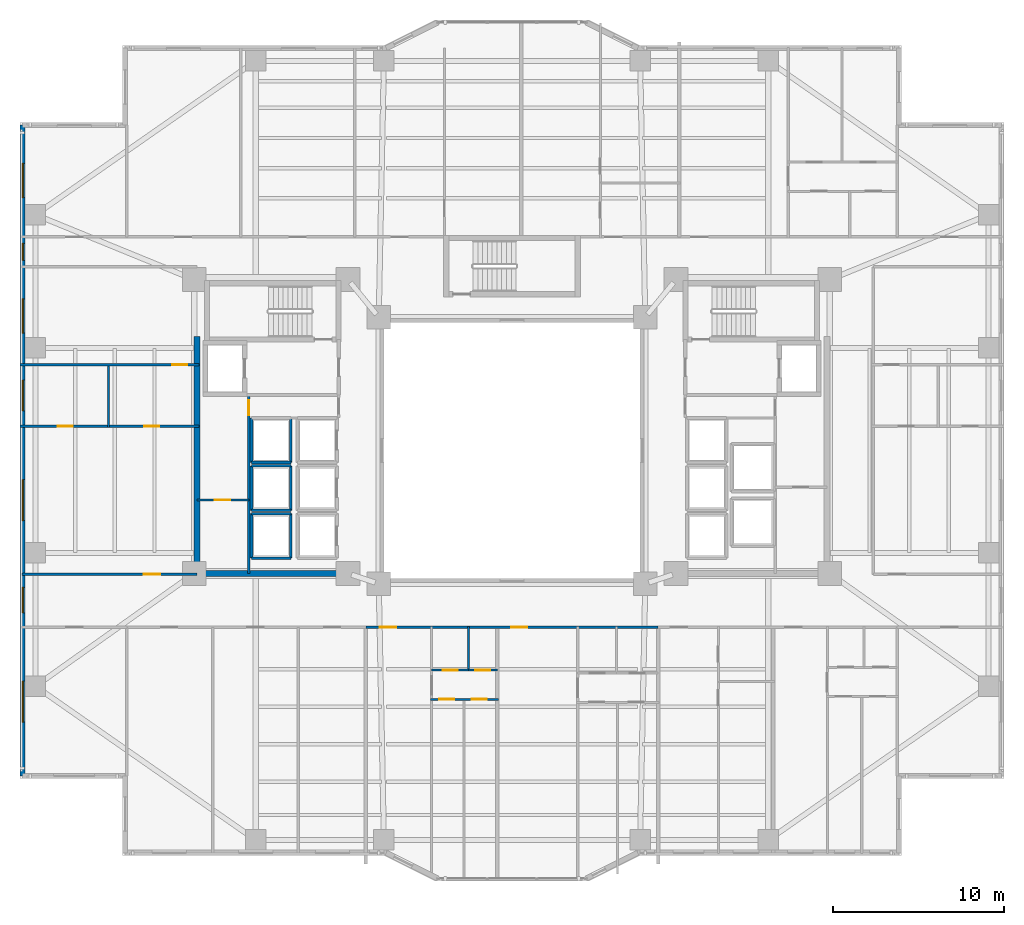
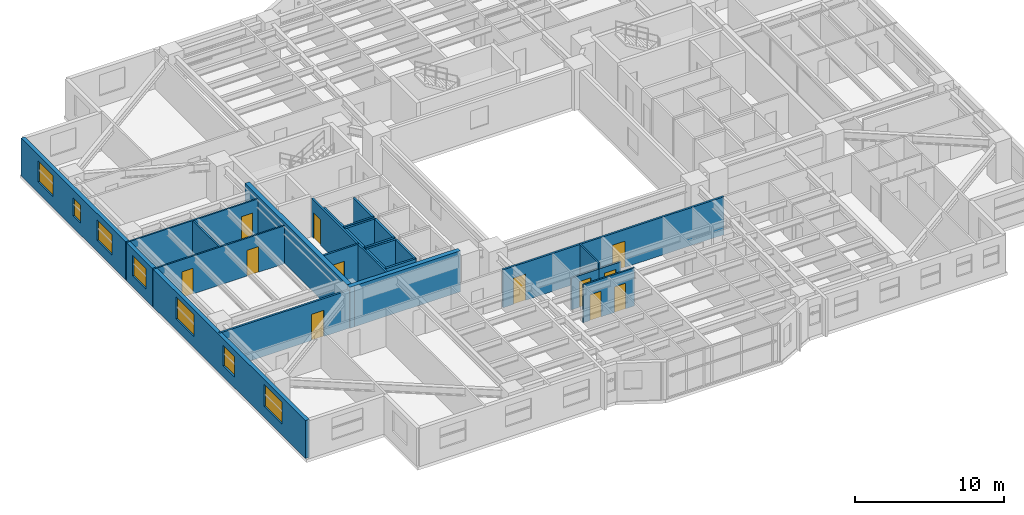
# One storey, part 10 of 21: 25 walls, 12 doors, 7 windows, 19 openings.
"""IFC4 building model written with IfcOpenShell, lengths in metres."""

from ifc_helpers import new_model, si_unit, direction, frame, frame_2d, origin, place, context, subcontext, project, spatial, rectangle, extrude, material, layer, layer_set, type_object, element, fill, save


model = new_model("IFC4")

# Units and contexts
model_context = context("Model", 3, precision=1e-05, world=origin(), true_north=direction((0.0, 1.0)))
body_context = subcontext(model_context, "Body", "Model", "MODEL_VIEW")
ifc_project = project(units=[si_unit("LENGTHUNIT", "METRE"), si_unit("AREAUNIT", "SQUARE_METRE"), si_unit("VOLUMEUNIT", "CUBIC_METRE"), si_unit("PLANEANGLEUNIT", "RADIAN"), si_unit("MASSUNIT", "GRAM", prefix="KILO")], contexts=[model_context])

# Site, building, storey
site_placement = place(None, origin())
site = spatial("IfcSite", under=ifc_project, at=site_placement, CompositionType="ELEMENT")
building_placement = place(site_placement, origin())
building = spatial("IfcBuilding", under=site, at=building_placement, Name="Tarnavaz Court Tower", CompositionType="ELEMENT")
storey_placement = place(building_placement, frame((0.0, 0.0, 44.10009765625)))
storey = spatial("IfcBuildingStorey", under=building, at=storey_placement, Name="L11", CompositionType="ELEMENT", Elevation=44.10009765625)

# Walls
ifc_material_1 = material(Name="Concrete C60/75", Category="concrete")
ifc_layer_1 = layer(ifc_material_1, 0.35009765625)
ifc_layer_set_1 = layer_set([ifc_layer_1], Name="Concrete C60/75")
wall_type_1 = type_object("IfcWallType", Name="WL-CORE-350-C60", PredefinedType="SHEAR", material=ifc_layer_set_1)
wall_1_placement = place(storey_placement, frame((-18.449951171875, -7.375, 0.0), z_axis=(0.0, 0.0, 1.0), x_axis=(0.0, 1.0, 0.0)))
element("IfcWall", 1, at=wall_1_placement, inside=storey, type_object=wall_type_1, Name="L11 West Core Shear Wall 069", PredefinedType="SHEAR", context=body_context, shape_type="SweptSolid", body=[
    extrude(rectangle(XDim=14.050048828125, YDim=0.35009765625, at=frame_2d((7.02490234375, 0.0))), origin(), (0.0, 0.0, 1.0), 3.349853515625),
])
wall_2_placement = place(storey_placement, frame((-18.625, -7.199951171875, 0.0), z_axis=(0.0, 0.0, 1.0), x_axis=(1.0, 0.0, 0.0)))
element("IfcWall", 2, at=wall_2_placement, inside=storey, type_object=wall_type_1, Name="L11 West Core South Shear Wall 070", PredefinedType="SHEAR", context=body_context, shape_type="SweptSolid", body=[
    extrude(rectangle(XDim=8.550048828125, YDim=0.35009765625, at=frame_2d((4.27490234375, 0.0))), origin(), (0.0, 0.0, 1.0), 3.349853515625),
])

# Wall, openings, windows
ifc_material_2 = material(Name="Precast Concrete C40/50", Category="concrete")
ifc_layer_2 = layer(ifc_material_2, 0.300048828125)
ifc_layer_set_2 = layer_set([ifc_layer_2], Name="Precast Concrete C40/50")
wall_type_2 = type_object("IfcWallType", Name="WL-EXT-300", PredefinedType="SOLIDWALL", material=ifc_layer_set_2)
wall_3_placement = place(storey_placement, frame((-28.64990234375, -19.050048828125, 0.0), z_axis=(0.0, 0.0, 1.0), x_axis=(0.0, 1.0, 0.0)))
wall_3 = element("IfcWall", 3, at=wall_3_placement, inside=storey, type_object=wall_type_2, Name="L11 Exterior Terracotta Facade Wall 02", PredefinedType="SOLIDWALL", context=body_context, shape_type="SweptSolid", body=[
    extrude(rectangle(XDim=38.10009765625, YDim=0.300048828125, at=frame_2d((19.050048828125, 0.0))), origin(), (0.0, 0.0, 1.0), 3.099853515625),
])
opening_1_placement = place(wall_3_placement, frame((3.14990234375, 0.0, 0.89990234375)))
opening_1 = element("IfcOpeningElement", 4, at=opening_1_placement, cuts=wall_3, Name="Opening W06", PredefinedType="OPENING", context=body_context, shape_type="SweptSolid", body=[
    extrude(rectangle(XDim=2.39990234375, YDim=1.800048828125, at=frame_2d((1.199951171875, 0.89990234375))), frame((0.0, 0.159912109375, 0.0), z_axis=(0.0, -1.0, 0.0), x_axis=(1.0, 0.0, 0.0)), (0.0, 0.0, 1.0), 0.320068359375),
])
opening_2_placement = place(wall_3_placement, frame((9.54248046875, 0.0, 0.89990234375)))
opening_2 = element("IfcOpeningElement", 5, at=opening_2_placement, cuts=wall_3, Name="Opening W03", PredefinedType="OPENING", context=body_context, shape_type="SweptSolid", body=[
    extrude(rectangle(XDim=1.5, YDim=1.64990234375, at=frame_2d((0.75, 0.824951171875))), frame((0.0, 0.159912109375, 0.0), z_axis=(0.0, -1.0, 0.0), x_axis=(1.0, 0.0, 0.0)), (0.0, 0.0, 1.0), 0.320068359375),
])
opening_3_placement = place(wall_3_placement, frame((14.949951171875, 0.0, 0.89990234375)))
opening_3 = element("IfcOpeningElement", 6, at=opening_3_placement, cuts=wall_3, Name="Opening W06", PredefinedType="OPENING", context=body_context, shape_type="SweptSolid", body=[
    extrude(rectangle(XDim=2.39990234375, YDim=1.800048828125, at=frame_2d((1.199951171875, 0.89990234375))), frame((0.0, 0.159912109375, 0.0), z_axis=(0.0, -1.0, 0.0), x_axis=(1.0, 0.0, 0.0)), (0.0, 0.0, 1.0), 0.320068359375),
])
opening_4_placement = place(wall_3_placement, frame((21.375, 0.0, 0.89990234375)))
opening_4 = element("IfcOpeningElement", 7, at=opening_4_placement, cuts=wall_3, Name="Opening W01", PredefinedType="OPENING", context=body_context, shape_type="SweptSolid", body=[
    extrude(rectangle(XDim=1.800048828125, YDim=1.64990234375, at=frame_2d((0.89990234375, 0.824951171875))), frame((0.0, 0.159912109375, 0.0), z_axis=(0.0, -1.0, 0.0), x_axis=(1.0, 0.0, 0.0)), (0.0, 0.0, 1.0), 0.320068359375),
])
opening_5_placement = place(wall_3_placement, frame((25.925048828125, 0.0, 0.89990234375)))
opening_5 = element("IfcOpeningElement", 8, at=opening_5_placement, cuts=wall_3, Name="Opening W08", PredefinedType="OPENING", context=body_context, shape_type="SweptSolid", body=[
    extrude(rectangle(XDim=2.0, YDim=1.699951171875, at=frame_2d((1.0, 0.85009765625))), frame((0.0, 0.159912109375, 0.0), z_axis=(0.0, -1.0, 0.0), x_axis=(1.0, 0.0, 0.0)), (0.0, 0.0, 1.0), 0.320068359375),
])
opening_6_placement = place(wall_3_placement, frame((30.175048828125, 0.0, 0.949951171875)))
opening_6 = element("IfcOpeningElement", 9, at=opening_6_placement, cuts=wall_3, Name="Opening W14", PredefinedType="OPENING", context=body_context, shape_type="SweptSolid", body=[
    extrude(rectangle(XDim=1.0, YDim=1.5, at=frame_2d((0.5, 0.75))), frame((0.0, 0.159912109375, 0.0), z_axis=(0.0, -1.0, 0.0), x_axis=(1.0, 0.0, 0.0)), (0.0, 0.0, 1.0), 0.320068359375),
])
opening_7_placement = place(wall_3_placement, frame((33.85009765625, 0.0, 0.89990234375)))
opening_7 = element("IfcOpeningElement", 10, at=opening_7_placement, cuts=wall_3, Name="Opening W08", PredefinedType="OPENING", context=body_context, shape_type="SweptSolid", body=[
    extrude(rectangle(XDim=2.0, YDim=1.699951171875, at=frame_2d((1.0, 0.85009765625))), frame((0.0, 0.159912109375, 0.0), z_axis=(0.0, -1.0, 0.0), x_axis=(1.0, 0.0, 0.0)), (0.0, 0.0, 1.0), 0.320068359375),
])
ifc_material_3 = material(Name="Double-Glazed Solar Low-E Glass", Category="glass")
window_type_1 = type_object("IfcWindowType", Name="WN-APT-1000", PartitioningType="SINGLE_PANEL", PredefinedType="WINDOW", material=ifc_material_3)
window_1_placement = place(opening_6_placement, origin())
window_1 = element("IfcWindow", 11, at=window_1_placement, inside=storey, type_object=window_type_1, Name="L11 North-West Corner Corridor Window", OverallHeight=1.5, OverallWidth=1.0, PartitioningType="SINGLE_PANEL", PredefinedType="WINDOW", context=body_context, shape_type="SweptSolid", body=[
    extrude(rectangle(XDim=1.0, YDim=1.5, at=frame_2d((0.5, 0.75))), frame((0.0, 0.030029296875, 0.0), z_axis=(0.0, -1.0, 0.0), x_axis=(1.0, 0.0, 0.0)), (0.0, 0.0, 1.0), 0.06005859375),
])
fill(opening_6, window_1)
window_type_2 = type_object("IfcWindowType", Name="WN-APT-1500", PartitioningType="DOUBLE_PANEL_VERTICAL", PredefinedType="WINDOW", material=ifc_material_3)
window_2_placement = place(opening_2_placement, origin())
window_2 = element("IfcWindow", 12, at=window_2_placement, inside=storey, type_object=window_type_2, Name="L11 South-West Corner Corridor Window", OverallHeight=1.64990234375, OverallWidth=1.5, PartitioningType="SINGLE_PANEL", PredefinedType="WINDOW", context=body_context, shape_type="SweptSolid", body=[
    extrude(rectangle(XDim=1.5, YDim=1.64990234375, at=frame_2d((0.75, 0.824951171875))), frame((0.0, 0.030029296875, 0.0), z_axis=(0.0, -1.0, 0.0), x_axis=(1.0, 0.0, 0.0)), (0.0, 0.0, 1.0), 0.06005859375),
])
fill(opening_2, window_2)
window_type_3 = type_object("IfcWindowType", Name="WN-APT-1800", PartitioningType="DOUBLE_PANEL_VERTICAL", PredefinedType="WINDOW", material=ifc_material_3)
window_3_placement = place(opening_4_placement, origin())
window_3 = element("IfcWindow", 13, at=window_3_placement, inside=storey, type_object=window_type_3, Name="L11 Flat 07 Kitchen Window", OverallHeight=1.64990234375, OverallWidth=1.800048828125, PartitioningType="SINGLE_PANEL", PredefinedType="WINDOW", context=body_context, shape_type="SweptSolid", body=[
    extrude(rectangle(XDim=1.800048828125, YDim=1.64990234375, at=frame_2d((0.89990234375, 0.824951171875))), frame((0.0, 0.030029296875, 0.0), z_axis=(0.0, -1.0, 0.0), x_axis=(1.0, 0.0, 0.0)), (0.0, 0.0, 1.0), 0.06005859375),
])
fill(opening_4, window_3)
window_type_4 = type_object("IfcWindowType", Name="WN-APT-2000", PartitioningType="DOUBLE_PANEL_VERTICAL", PredefinedType="WINDOW", material=ifc_material_3)
window_4_placement = place(opening_5_placement, origin())
window_4 = element("IfcWindow", 14, at=window_4_placement, inside=storey, type_object=window_type_4, Name="L11 Flat 07 Study Room Window", OverallHeight=1.699951171875, OverallWidth=2.0, PartitioningType="SINGLE_PANEL", PredefinedType="WINDOW", context=body_context, shape_type="SweptSolid", body=[
    extrude(rectangle(XDim=2.0, YDim=1.699951171875, at=frame_2d((1.0, 0.85009765625))), frame((0.0, 0.030029296875, 0.0), z_axis=(0.0, -1.0, 0.0), x_axis=(1.0, 0.0, 0.0)), (0.0, 0.0, 1.0), 0.06005859375),
])
fill(opening_5, window_4)
window_5_placement = place(opening_7_placement, origin())
window_5 = element("IfcWindow", 15, at=window_5_placement, inside=storey, type_object=window_type_4, Name="L11 North-West Corner Sunroom Study Window", OverallHeight=1.699951171875, OverallWidth=2.0, PartitioningType="SINGLE_PANEL", PredefinedType="WINDOW", context=body_context, shape_type="SweptSolid", body=[
    extrude(rectangle(XDim=2.0, YDim=1.699951171875, at=frame_2d((1.0, 0.85009765625))), frame((0.0, 0.030029296875, 0.0), z_axis=(0.0, -1.0, 0.0), x_axis=(1.0, 0.0, 0.0)), (0.0, 0.0, 1.0), 0.06005859375),
])
fill(opening_7, window_5)
window_type_5 = type_object("IfcWindowType", Name="WN-APT-2400", PartitioningType="TRIPLE_PANEL_VERTICAL", PredefinedType="WINDOW", material=ifc_material_3)
window_6_placement = place(opening_1_placement, origin())
window_6 = element("IfcWindow", 16, at=window_6_placement, inside=storey, type_object=window_type_5, Name="L11 South-West Corner Reading Room Window", OverallHeight=1.800048828125, OverallWidth=2.39990234375, PartitioningType="SINGLE_PANEL", PredefinedType="WINDOW", context=body_context, shape_type="SweptSolid", body=[
    extrude(rectangle(XDim=2.39990234375, YDim=1.800048828125, at=frame_2d((1.199951171875, 0.89990234375))), frame((0.0, 0.030029296875, 0.0), z_axis=(0.0, -1.0, 0.0), x_axis=(1.0, 0.0, 0.0)), (0.0, 0.0, 1.0), 0.06005859375),
])
fill(opening_1, window_6)
window_7_placement = place(opening_3_placement, origin())
window_7 = element("IfcWindow", 17, at=window_7_placement, inside=storey, type_object=window_type_5, Name="L11 Flat 07 Studio Living and Sleeping Room Window", OverallHeight=1.800048828125, OverallWidth=2.39990234375, PartitioningType="SINGLE_PANEL", PredefinedType="WINDOW", context=body_context, shape_type="SweptSolid", body=[
    extrude(rectangle(XDim=2.39990234375, YDim=1.800048828125, at=frame_2d((1.199951171875, 0.89990234375))), frame((0.0, 0.030029296875, 0.0), z_axis=(0.0, -1.0, 0.0), x_axis=(1.0, 0.0, 0.0)), (0.0, 0.0, 1.0), 0.06005859375),
])
fill(opening_3, window_7)

# Wall, openings, doors
ifc_material_4 = material(Name="Gypsum Fire-Board on Acoustic Metal Stud", Category="masonry")
ifc_layer_3 = layer(ifc_material_4, 0.14990234375)
ifc_layer_set_3 = layer_set([ifc_layer_3], Name="Gypsum Fire-Board on Acoustic Metal Stud")
wall_type_3 = type_object("IfcWallType", Name="WL-FIRE-150", PredefinedType="PARTITIONING", material=ifc_layer_set_3)
wall_4_placement = place(storey_placement, frame((-8.550048828125, -10.35009765625, 0.0), z_axis=(0.0, 0.0, 1.0), x_axis=(1.0, 0.0, 0.0)))
wall_4 = element("IfcWall", 18, at=wall_4_placement, inside=storey, type_object=wall_type_3, Name="L11 South Ring Corridor Wall 085", PredefinedType="PARTITIONING", context=body_context, shape_type="SweptSolid", body=[
    extrude(rectangle(XDim=17.10009765625, YDim=0.14990234375, at=frame_2d((8.550048828125, 0.0))), origin(), (0.0, 0.0, 1.0), 3.099853515625),
])
opening_8_placement = place(wall_4_placement, frame((0.800048828125, 0.0, 0.0)))
opening_8 = element("IfcOpeningElement", 19, at=opening_8_placement, cuts=wall_4, Name="Opening D06", PredefinedType="OPENING", context=body_context, shape_type="SweptSolid", body=[
    extrude(rectangle(XDim=0.9599609375, YDim=2.14990234375, at=frame_2d((0.47998046875, 1.074951171875))), frame((0.0, 0.0849609375, 0.0), z_axis=(0.0, -1.0, 0.0), x_axis=(1.0, 0.0, 0.0)), (0.0, 0.0, 1.0), 0.169921875),
])
opening_9_placement = place(wall_4_placement, frame((8.4951171875, 0.0, 0.0)))
opening_9 = element("IfcOpeningElement", 20, at=opening_9_placement, cuts=wall_4, Name="Opening D06", PredefinedType="OPENING", context=body_context, shape_type="SweptSolid", body=[
    extrude(rectangle(XDim=0.9599609375, YDim=2.14990234375, at=frame_2d((0.47998046875, 1.074951171875))), frame((0.0, 0.0849609375, 0.0), z_axis=(0.0, -1.0, 0.0), x_axis=(1.0, 0.0, 0.0)), (0.0, 0.0, 1.0), 0.169921875),
])
ifc_material_5 = material(Name="Fire-Rated Hardwood Timber Core", Category="wood")
door_type_1 = type_object("IfcDoorType", Name="DR-FD60-950", OperationType="NOTDEFINED", PredefinedType="DOOR", material=ifc_material_5)
door_1_placement = place(opening_8_placement, origin())
door_1 = element("IfcDoor", 21, at=door_1_placement, inside=storey, type_object=door_type_1, Name="L11 Flat 05 Entrance Door", OperationType="SINGLE_SWING_RIGHT", OverallHeight=2.14990234375, OverallWidth=0.9599609375, PredefinedType="DOOR", context=body_context, shape_type="SweptSolid", body=[
    extrude(rectangle(XDim=0.9599609375, YDim=2.14990234375, at=frame_2d((0.47998046875, 1.074951171875))), frame((0.0, 0.02490234375, 0.0), z_axis=(0.0, -1.0, 0.0), x_axis=(1.0, 0.0, 0.0)), (0.0, 0.0, 1.0), 0.050048828125),
])
fill(opening_8, door_1)
door_2_placement = place(opening_9_placement, origin())
door_2 = element("IfcDoor", 22, at=door_2_placement, inside=storey, type_object=door_type_1, Name="L11 Flat 06 Entrance Door", OperationType="SINGLE_SWING_RIGHT", OverallHeight=2.14990234375, OverallWidth=0.9599609375, PredefinedType="DOOR", context=body_context, shape_type="SweptSolid", body=[
    extrude(rectangle(XDim=0.9599609375, YDim=2.14990234375, at=frame_2d((0.47998046875, 1.074951171875))), frame((0.0, 0.02490234375, 0.0), z_axis=(0.0, -1.0, 0.0), x_axis=(1.0, 0.0, 0.0)), (0.0, 0.0, 1.0), 0.050048828125),
])
fill(opening_9, door_2)

# Wall, opening, door
wall_5_placement = place(storey_placement, frame((-28.679931640625, -7.25, 0.0), z_axis=(0.0, 0.0, 1.0), x_axis=(1.0, 0.0, 0.0)))
wall_5 = element("IfcWall", 23, at=wall_5_placement, inside=storey, type_object=wall_type_3, Name="L11 Interior Partition 128", PredefinedType="PARTITIONING", context=body_context, shape_type="SweptSolid", body=[
    extrude(rectangle(XDim=10.22998046875, YDim=0.14990234375, at=frame_2d((5.114990234375, 0.0))), origin(), (0.0, 0.0, 1.0), 3.099853515625),
])
opening_10_placement = place(wall_5_placement, frame((7.1298828125, 0.0, 0.0)))
opening_10 = element("IfcOpeningElement", 24, at=opening_10_placement, cuts=wall_5, Name="Opening D06", PredefinedType="OPENING", context=body_context, shape_type="SweptSolid", body=[
    extrude(rectangle(XDim=0.9599609375, YDim=2.14990234375, at=frame_2d((0.47998046875, 1.074951171875))), frame((0.0, 0.0849609375, 0.0), z_axis=(0.0, -1.0, 0.0), x_axis=(1.0, 0.0, 0.0)), (0.0, 0.0, 1.0), 0.169921875),
])
door_3_placement = place(opening_10_placement, origin())
door_3 = element("IfcDoor", 25, at=door_3_placement, inside=storey, type_object=door_type_1, Name="L11 Flat 07 Entrance Door", OperationType="SINGLE_SWING_RIGHT", OverallHeight=2.14990234375, OverallWidth=0.9599609375, PredefinedType="DOOR", context=body_context, shape_type="SweptSolid", body=[
    extrude(rectangle(XDim=0.9599609375, YDim=2.14990234375, at=frame_2d((0.47998046875, 1.074951171875))), frame((0.0, 0.02490234375, 0.0), z_axis=(0.0, -1.0, 0.0), x_axis=(1.0, 0.0, 0.0)), (0.0, 0.0, 1.0), 0.050048828125),
])
fill(opening_10, door_3)

ifc_material_6 = material(Name="Moisture-Resistant Gypsum Board Partition", Category="masonry")
ifc_layer_4 = layer(ifc_material_6, 0.1201171875)
ifc_layer_set_4 = layer_set([ifc_layer_4], Name="Moisture-Resistant Gypsum Board Partition")
wall_type_4 = type_object("IfcWallType", Name="WL-PART-120", PredefinedType="PARTITIONING", material=ifc_layer_set_4)
wall_6_placement = place(storey_placement, frame((-4.702880859375, -12.860107421875, 0.0), z_axis=(0.0, 0.0, 1.0), x_axis=(1.0, 0.0, 0.0)))
wall_6 = element("IfcWall", 26, at=wall_6_placement, inside=storey, type_object=wall_type_4, Name="L11 Interior Partition 117", PredefinedType="PARTITIONING", context=body_context, shape_type="SweptSolid", body=[
    extrude(rectangle(XDim=2.158935546875, YDim=0.1201171875, at=frame_2d((1.07958984375, 0.0))), origin(), (0.0, 0.0, 1.0), 2.5849609375),
])
opening_11_placement = place(wall_6_placement, frame((0.639892578125, 0.0, 0.0)))
opening_11 = element("IfcOpeningElement", 27, at=opening_11_placement, cuts=wall_6, Name="Opening D14", PredefinedType="OPENING", context=body_context, shape_type="SweptSolid", body=[
    extrude(rectangle(XDim=0.8798828125, YDim=2.10009765625, at=frame_2d((0.43994140625, 1.050048828125))), frame((0.0, 0.070068359375, 0.0), z_axis=(0.0, -1.0, 0.0), x_axis=(1.0, 0.0, 0.0)), (0.0, 0.0, 1.0), 0.14013671875),
])
ifc_material_7 = material(Name="Engineered Oak Timber", Category="wood")
door_type_2 = type_object("IfcDoorType", Name="DR-INT-900", OperationType="NOTDEFINED", PredefinedType="DOOR", material=ifc_material_7)
door_4_placement = place(opening_11_placement, origin())
door_4 = element("IfcDoor", 28, at=door_4_placement, inside=storey, type_object=door_type_2, Name="L11 Flat 05 Kitchen Door", OperationType="SINGLE_SWING_RIGHT", OverallHeight=2.10009765625, OverallWidth=0.8798828125, PredefinedType="DOOR", context=body_context, shape_type="SweptSolid", body=[
    extrude(rectangle(XDim=0.8798828125, YDim=2.10009765625, at=frame_2d((0.43994140625, 1.050048828125))), frame((0.0, 0.02490234375, 0.0), z_axis=(0.0, -1.0, 0.0), x_axis=(1.0, 0.0, 0.0)), (0.0, 0.0, 1.0), 0.050048828125),
])
fill(opening_11, door_4)

wall_7_placement = place(storey_placement, frame((-2.5439453125, -12.860107421875, 0.0), z_axis=(0.0, 0.0, 1.0), x_axis=(1.0, 0.0, 0.0)))
wall_7 = element("IfcWall", 29, at=wall_7_placement, inside=storey, type_object=wall_type_4, Name="L11 Interior Partition 118", PredefinedType="PARTITIONING", context=body_context, shape_type="SweptSolid", body=[
    extrude(rectangle(XDim=1.68896484375, YDim=0.1201171875, at=frame_2d((0.844482421875, 0.0))), origin(), (0.0, 0.0, 1.0), 2.5849609375),
])
opening_12_placement = place(wall_7_placement, frame((0.405029296875, 0.0, 0.0)))
opening_12 = element("IfcOpeningElement", 30, at=opening_12_placement, cuts=wall_7, Name="Opening D14", PredefinedType="OPENING", context=body_context, shape_type="SweptSolid", body=[
    extrude(rectangle(XDim=0.8798828125, YDim=2.10009765625, at=frame_2d((0.43994140625, 1.050048828125))), frame((0.0, 0.070068359375, 0.0), z_axis=(0.0, -1.0, 0.0), x_axis=(1.0, 0.0, 0.0)), (0.0, 0.0, 1.0), 0.14013671875),
])
door_5_placement = place(opening_12_placement, origin())
door_5 = element("IfcDoor", 31, at=door_5_placement, inside=storey, type_object=door_type_2, Name="L11 Flat 05 Bathroom Door", OperationType="SINGLE_SWING_LEFT", OverallHeight=2.10009765625, OverallWidth=0.8798828125, PredefinedType="DOOR", context=body_context, shape_type="SweptSolid", body=[
    extrude(rectangle(XDim=0.8798828125, YDim=2.10009765625, at=frame_2d((0.43994140625, 1.050048828125))), frame((0.0, 0.02490234375, 0.0), z_axis=(0.0, -1.0, 0.0), x_axis=(1.0, 0.0, 0.0)), (0.0, 0.0, 1.0), 0.050048828125),
])
fill(opening_12, door_5)

# Wall, openings, doors
wall_8_placement = place(storey_placement, frame((-4.762939453125, -14.570068359375, 0.0), z_axis=(0.0, 0.0, 1.0), x_axis=(1.0, 0.0, 0.0)))
wall_8 = element("IfcWall", 32, at=wall_8_placement, inside=storey, type_object=wall_type_4, Name="L11 Interior Partition 119", PredefinedType="PARTITIONING", context=body_context, shape_type="SweptSolid", body=[
    extrude(rectangle(XDim=3.968017578125, YDim=0.1201171875, at=frame_2d((1.98388671875, 0.0))), origin(), (0.0, 0.0, 1.0), 3.099853515625),
])
opening_13_placement = place(wall_8_placement, frame((0.507080078125, 0.0, 0.0)))
opening_13 = element("IfcOpeningElement", 33, at=opening_13_placement, cuts=wall_8, Name="Opening D14", PredefinedType="OPENING", context=body_context, shape_type="SweptSolid", body=[
    extrude(rectangle(XDim=0.8798828125, YDim=2.10009765625, at=frame_2d((0.43994140625, 1.050048828125))), frame((0.0, 0.070068359375, 0.0), z_axis=(0.0, -1.0, 0.0), x_axis=(1.0, 0.0, 0.0)), (0.0, 0.0, 1.0), 0.14013671875),
])
opening_14_placement = place(wall_8_placement, frame((2.40087890625, 0.0, 0.0)))
opening_14 = element("IfcOpeningElement", 34, at=opening_14_placement, cuts=wall_8, Name="Opening D14", PredefinedType="OPENING", context=body_context, shape_type="SweptSolid", body=[
    extrude(rectangle(XDim=0.8798828125, YDim=2.10009765625, at=frame_2d((0.43994140625, 1.050048828125))), frame((0.0, 0.070068359375, 0.0), z_axis=(0.0, -1.0, 0.0), x_axis=(1.0, 0.0, 0.0)), (0.0, 0.0, 1.0), 0.14013671875),
])
door_6_placement = place(opening_13_placement, origin())
door_6 = element("IfcDoor", 35, at=door_6_placement, inside=storey, type_object=door_type_2, Name="L11 Flat 05 Bedroom 1 Door", OperationType="SINGLE_SWING_RIGHT", OverallHeight=2.10009765625, OverallWidth=0.8798828125, PredefinedType="DOOR", context=body_context, shape_type="SweptSolid", body=[
    extrude(rectangle(XDim=0.8798828125, YDim=2.10009765625, at=frame_2d((0.43994140625, 1.050048828125))), frame((0.0, 0.02490234375, 0.0), z_axis=(0.0, -1.0, 0.0), x_axis=(1.0, 0.0, 0.0)), (0.0, 0.0, 1.0), 0.050048828125),
])
fill(opening_13, door_6)
door_7_placement = place(opening_14_placement, origin())
door_7 = element("IfcDoor", 36, at=door_7_placement, inside=storey, type_object=door_type_2, Name="L11 Flat 05 Bedroom 2 Door", OperationType="SINGLE_SWING_LEFT", OverallHeight=2.10009765625, OverallWidth=0.8798828125, PredefinedType="DOOR", context=body_context, shape_type="SweptSolid", body=[
    extrude(rectangle(XDim=0.8798828125, YDim=2.10009765625, at=frame_2d((0.43994140625, 1.050048828125))), frame((0.0, 0.02490234375, 0.0), z_axis=(0.0, -1.0, 0.0), x_axis=(1.0, 0.0, 0.0)), (0.0, 0.0, 1.0), 0.050048828125),
])
fill(opening_14, door_7)

# Wall
wall_9_placement = place(storey_placement, frame((-2.5439453125, -12.919921875, 0.0), z_axis=(0.0, 0.0, 1.0), x_axis=(0.0, 1.0, 0.0)))
element("IfcWall", 37, at=wall_9_placement, inside=storey, type_object=wall_type_4, Name="L11 Interior Partition 120", PredefinedType="PARTITIONING", context=body_context, shape_type="SweptSolid", body=[
    extrude(rectangle(XDim=2.6298828125, YDim=0.1201171875, at=frame_2d((1.31494140625, 0.0))), origin(), (0.0, 0.0, 1.0), 3.099853515625),
])

# Wall, openings, doors
wall_10_placement = place(storey_placement, frame((-28.800048828125, 1.419921875, 0.0), z_axis=(0.0, 0.0, 1.0), x_axis=(1.0, 0.0, 0.0)))
wall_10 = element("IfcWall", 38, at=wall_10_placement, inside=storey, type_object=wall_type_4, Name="L11 Interior Partition 140", PredefinedType="PARTITIONING", context=body_context, shape_type="SweptSolid", body=[
    extrude(rectangle(XDim=10.469970703125, YDim=0.1201171875, at=frame_2d((5.23486328125, 0.0))), origin(), (0.0, 0.0, 1.0), 3.099853515625),
])
opening_15_placement = place(wall_10_placement, frame((2.212890625, 0.0, 0.0)))
opening_15 = element("IfcOpeningElement", 39, at=opening_15_placement, cuts=wall_10, Name="Opening D14", PredefinedType="OPENING", context=body_context, shape_type="SweptSolid", body=[
    extrude(rectangle(XDim=0.8798828125, YDim=2.10009765625, at=frame_2d((0.43994140625, 1.050048828125))), frame((0.0, 0.070068359375, 0.0), z_axis=(0.0, -1.0, 0.0), x_axis=(1.0, 0.0, 0.0)), (0.0, 0.0, 1.0), 0.14013671875),
])
opening_16_placement = place(wall_10_placement, frame((7.278076171875, 0.0, 0.0)))
opening_16 = element("IfcOpeningElement", 40, at=opening_16_placement, cuts=wall_10, Name="Opening D14", PredefinedType="OPENING", context=body_context, shape_type="SweptSolid", body=[
    extrude(rectangle(XDim=0.8798828125, YDim=2.10009765625, at=frame_2d((0.43994140625, 1.050048828125))), frame((0.0, 0.070068359375, 0.0), z_axis=(0.0, -1.0, 0.0), x_axis=(1.0, 0.0, 0.0)), (0.0, 0.0, 1.0), 0.14013671875),
])
door_8_placement = place(opening_15_placement, origin())
door_8 = element("IfcDoor", 41, at=door_8_placement, inside=storey, type_object=door_type_2, Name="L11 Flat 07 Kitchen Door", OperationType="SINGLE_SWING_LEFT", OverallHeight=2.10009765625, OverallWidth=0.8798828125, PredefinedType="DOOR", context=body_context, shape_type="SweptSolid", body=[
    extrude(rectangle(XDim=0.8798828125, YDim=2.10009765625, at=frame_2d((0.43994140625, 1.050048828125))), frame((0.0, 0.02490234375, 0.0), z_axis=(0.0, -1.0, 0.0), x_axis=(1.0, 0.0, 0.0)), (0.0, 0.0, 1.0), 0.050048828125),
])
fill(opening_15, door_8)
door_9_placement = place(opening_16_placement, origin())
door_9 = element("IfcDoor", 42, at=door_9_placement, inside=storey, type_object=door_type_2, Name="L11 Flat 07 Bathroom Door", OperationType="SINGLE_SWING_RIGHT", OverallHeight=2.10009765625, OverallWidth=0.8798828125, PredefinedType="DOOR", context=body_context, shape_type="SweptSolid", body=[
    extrude(rectangle(XDim=0.8798828125, YDim=2.10009765625, at=frame_2d((0.43994140625, 1.050048828125))), frame((0.0, 0.02490234375, 0.0), z_axis=(0.0, -1.0, 0.0), x_axis=(1.0, 0.0, 0.0)), (0.0, 0.0, 1.0), 0.050048828125),
])
fill(opening_16, door_9)

# Wall, opening, door
wall_11_placement = place(storey_placement, frame((-28.800048828125, 5.02001953125, 0.0), z_axis=(0.0, 0.0, 1.0), x_axis=(1.0, 0.0, 0.0)))
wall_11 = element("IfcWall", 43, at=wall_11_placement, inside=storey, type_object=wall_type_4, Name="L11 Interior Partition 141", PredefinedType="PARTITIONING", context=body_context, shape_type="SweptSolid", body=[
    extrude(rectangle(XDim=10.469970703125, YDim=0.1201171875, at=frame_2d((5.23486328125, 0.0))), origin(), (0.0, 0.0, 1.0), 3.099853515625),
])
opening_17_placement = place(wall_11_placement, frame((8.89990234375, 0.0, 0.0)))
opening_17 = element("IfcOpeningElement", 44, at=opening_17_placement, cuts=wall_11, Name="Opening D14", PredefinedType="OPENING", context=body_context, shape_type="SweptSolid", body=[
    extrude(rectangle(XDim=0.8798828125, YDim=2.10009765625, at=frame_2d((0.43994140625, 1.050048828125))), frame((0.0, 0.070068359375, 0.0), z_axis=(0.0, -1.0, 0.0), x_axis=(1.0, 0.0, 0.0)), (0.0, 0.0, 1.0), 0.14013671875),
])
door_10_placement = place(opening_17_placement, origin())
door_10 = element("IfcDoor", 45, at=door_10_placement, inside=storey, type_object=door_type_2, Name="L11 Flat 07 Study Door", OperationType="SINGLE_SWING_LEFT", OverallHeight=2.10009765625, OverallWidth=0.8798828125, PredefinedType="DOOR", context=body_context, shape_type="SweptSolid", body=[
    extrude(rectangle(XDim=0.8798828125, YDim=2.10009765625, at=frame_2d((0.43994140625, 1.050048828125))), frame((0.0, 0.02490234375, 0.0), z_axis=(0.0, -1.0, 0.0), x_axis=(1.0, 0.0, 0.0)), (0.0, 0.0, 1.0), 0.050048828125),
])
fill(opening_17, door_10)

# Wall
wall_12_placement = place(storey_placement, frame((-23.614990234375, 1.360107421875, 0.0), z_axis=(0.0, 0.0, 1.0), x_axis=(0.0, 1.0, 0.0)))
element("IfcWall", 46, at=wall_12_placement, inside=storey, type_object=wall_type_4, Name="L11 Interior Partition 142", PredefinedType="PARTITIONING", context=body_context, shape_type="SweptSolid", body=[
    extrude(rectangle(XDim=3.579833984375, YDim=0.1201171875, at=frame_2d((1.7900390625, 0.0))), origin(), (0.0, 0.0, 1.0), 3.099853515625),
])

# Wall, opening, door
ifc_material_8 = material(Name="Gypsum Plasterboard Acoustic Partition", Category="masonry")
ifc_layer_5 = layer(ifc_material_8, 0.139892578125)
ifc_layer_set_5 = layer_set([ifc_layer_5], Name="Gypsum Plasterboard Acoustic Partition")
wall_type_5 = type_object("IfcWallType", Name="WL-PART-150", PredefinedType="PARTITIONING", material=ifc_layer_set_5)
wall_13_placement = place(storey_placement, frame((-15.39990234375, -7.199951171875, 0.0), z_axis=(0.0, 0.0, 1.0), x_axis=(0.0, 1.0, 0.0)))
wall_13 = element("IfcWall", 47, at=wall_13_placement, inside=storey, type_object=wall_type_5, Name="L11 Interior Partition 075", PredefinedType="PARTITIONING", context=body_context, shape_type="SweptSolid", body=[
    extrude(rectangle(XDim=10.449951171875, YDim=0.139892578125, at=frame_2d((5.22509765625, 0.0))), origin(), (0.0, 0.0, 1.0), 3.099853515625),
])
opening_18_placement = place(wall_13_placement, frame((9.25, 0.0, 0.0)))
opening_18 = element("IfcOpeningElement", 48, at=opening_18_placement, cuts=wall_13, Name="Opening D09", PredefinedType="OPENING", context=body_context, shape_type="SweptSolid", body=[
    extrude(rectangle(XDim=0.89990234375, YDim=2.080078125, at=frame_2d((0.449951171875, 1.0400390625))), frame((0.0, 0.079833984375, 0.0), z_axis=(0.0, -1.0, 0.0), x_axis=(1.0, 0.0, 0.0)), (0.0, 0.0, 1.0), 0.159912109375),
])
door_type_3 = type_object("IfcDoorType", Name="DR-FD30-900", OperationType="NOTDEFINED", PredefinedType="DOOR", material=ifc_material_5)
door_11_placement = place(opening_18_placement, origin())
door_11 = element("IfcDoor", 49, at=door_11_placement, inside=storey, type_object=door_type_3, Name="L11 West Valve Room Door", OperationType="SINGLE_SWING_RIGHT", OverallHeight=2.080078125, OverallWidth=0.89990234375, PredefinedType="DOOR", context=body_context, shape_type="SweptSolid", body=[
    extrude(rectangle(XDim=0.89990234375, YDim=2.080078125, at=frame_2d((0.449951171875, 1.0400390625))), frame((0.0, 0.02490234375, 0.0), z_axis=(0.0, -1.0, 0.0), x_axis=(1.0, 0.0, 0.0)), (0.0, 0.0, 1.0), 0.050048828125),
])
fill(opening_18, door_11)

wall_14_placement = place(storey_placement, frame((-18.449951171875, -2.89990234375, 0.0), z_axis=(0.0, 0.0, 1.0), x_axis=(1.0, 0.0, 0.0)))
wall_14 = element("IfcWall", 50, at=wall_14_placement, inside=storey, type_object=wall_type_5, Name="L11 Interior Partition 076", PredefinedType="PARTITIONING", context=body_context, shape_type="SweptSolid", body=[
    extrude(rectangle(XDim=3.050048828125, YDim=0.139892578125, at=frame_2d((1.52490234375, 0.0))), origin(), (0.0, 0.0, 1.0), 3.099853515625),
])
opening_19_placement = place(wall_14_placement, frame((1.050048828125, 0.0, 0.0)))
opening_19 = element("IfcOpeningElement", 51, at=opening_19_placement, cuts=wall_14, Name="Opening D09", PredefinedType="OPENING", context=body_context, shape_type="SweptSolid", body=[
    extrude(rectangle(XDim=0.89990234375, YDim=2.080078125, at=frame_2d((0.449951171875, 1.0400390625))), frame((0.0, 0.079833984375, 0.0), z_axis=(0.0, -1.0, 0.0), x_axis=(1.0, 0.0, 0.0)), (0.0, 0.0, 1.0), 0.159912109375),
])
door_12_placement = place(opening_19_placement, origin())
door_12 = element("IfcDoor", 52, at=door_12_placement, inside=storey, type_object=door_type_3, Name="L11 West Power Plant Door", OperationType="SINGLE_SWING_LEFT", OverallHeight=2.080078125, OverallWidth=0.89990234375, PredefinedType="DOOR", context=body_context, shape_type="SweptSolid", body=[
    extrude(rectangle(XDim=0.89990234375, YDim=2.080078125, at=frame_2d((0.449951171875, 1.0400390625))), frame((0.0, 0.02490234375, 0.0), z_axis=(0.0, -1.0, 0.0), x_axis=(1.0, 0.0, 0.0)), (0.0, 0.0, 1.0), 0.050048828125),
])
fill(opening_19, door_12)

# Walls
ifc_material_9 = material(Name="Autoclaved Aerated Concrete Blockwork", Category="masonry")
ifc_layer_6 = layer(ifc_material_9, 0.159912109375)
ifc_layer_set_6 = layer_set([ifc_layer_6], Name="Autoclaved Aerated Concrete Blockwork")
wall_type_6 = type_object("IfcWallType", Name="WL-SHAFT-150", PredefinedType="SOLIDWALL", material=ifc_layer_set_6)
for number, where, z_axis, x_axis, name in (
    (53, (-15.25, -6.300048828125, 0.0), (0.0, 0.0, 1.0), (0.0, 1.0, 0.0), "L11 Lift PL-H1 Shaft Wall 033"),
    (54, (-12.949951171875, -6.300048828125, 0.0), (0.0, 0.0, 1.0), (0.0, 1.0, 0.0), "L11 Lift PL-H1 Shaft Wall 034"),
):
    element("IfcWall", number, at=place(storey_placement, frame(where, z_axis=z_axis, x_axis=x_axis)), inside=storey, type_object=wall_type_6, Name=name, PredefinedType="SOLIDWALL", context=body_context, shape_type="SweptSolid", body=[
        extrude(rectangle(XDim=2.60009765625, YDim=0.159912109375, at=frame_2d((1.300048828125, 0.0))), origin(), (0.0, 0.0, 1.0), 3.099853515625),
    ])
for number, where, z_axis, x_axis, name in (
    (55, (-15.25, -6.300048828125, 0.0), (0.0, 0.0, 1.0), (1.0, 0.0, 0.0), "L11 Lift PL-H1 Shaft Wall 035"),
    (56, (-15.25, -3.699951171875, 0.0), (0.0, 0.0, 1.0), (1.0, 0.0, 0.0), "L11 Lift PL-H1 Shaft Wall 036"),
):
    element("IfcWall", number, at=place(storey_placement, frame(where, z_axis=z_axis, x_axis=x_axis)), inside=storey, type_object=wall_type_6, Name=name, PredefinedType="SOLIDWALL", context=body_context, shape_type="SweptSolid", body=[
        extrude(rectangle(XDim=2.300048828125, YDim=0.159912109375, at=frame_2d((1.14990234375, 0.0))), origin(), (0.0, 0.0, 1.0), 3.099853515625),
    ])
for number, where, z_axis, x_axis, name in (
    (57, (-15.25, -3.5, 0.0), (0.0, 0.0, 1.0), (0.0, 1.0, 0.0), "L11 Lift PL-H2 Shaft Wall 037"),
    (58, (-12.949951171875, -3.5, 0.0), (0.0, 0.0, 1.0), (0.0, 1.0, 0.0), "L11 Lift PL-H2 Shaft Wall 038"),
):
    element("IfcWall", number, at=place(storey_placement, frame(where, z_axis=z_axis, x_axis=x_axis)), inside=storey, type_object=wall_type_6, Name=name, PredefinedType="SOLIDWALL", context=body_context, shape_type="SweptSolid", body=[
        extrude(rectangle(XDim=2.60009765625, YDim=0.159912109375, at=frame_2d((1.300048828125, 0.0))), origin(), (0.0, 0.0, 1.0), 3.099853515625),
    ])
for number, where, z_axis, x_axis, name in (
    (59, (-15.25, -3.5, 0.0), (0.0, 0.0, 1.0), (1.0, 0.0, 0.0), "L11 Lift PL-H2 Shaft Wall 039"),
    (60, (-15.25, -0.89990234375, 0.0), (0.0, 0.0, 1.0), (1.0, 0.0, 0.0), "L11 Lift PL-H2 Shaft Wall 040"),
):
    element("IfcWall", number, at=place(storey_placement, frame(where, z_axis=z_axis, x_axis=x_axis)), inside=storey, type_object=wall_type_6, Name=name, PredefinedType="SOLIDWALL", context=body_context, shape_type="SweptSolid", body=[
        extrude(rectangle(XDim=2.300048828125, YDim=0.159912109375, at=frame_2d((1.14990234375, 0.0))), origin(), (0.0, 0.0, 1.0), 3.099853515625),
    ])
for number, where, z_axis, x_axis, name in (
    (61, (-15.25, -0.699951171875, 0.0), (0.0, 0.0, 1.0), (0.0, 1.0, 0.0), "L11 Lift PL-H3 Shaft Wall 041"),
    (62, (-12.949951171875, -0.699951171875, 0.0), (0.0, 0.0, 1.0), (0.0, 1.0, 0.0), "L11 Lift PL-H3 Shaft Wall 042"),
):
    element("IfcWall", number, at=place(storey_placement, frame(where, z_axis=z_axis, x_axis=x_axis)), inside=storey, type_object=wall_type_6, Name=name, PredefinedType="SOLIDWALL", context=body_context, shape_type="SweptSolid", body=[
        extrude(rectangle(XDim=2.599853515625, YDim=0.159912109375, at=frame_2d((1.2998046875, 0.0))), origin(), (0.0, 0.0, 1.0), 3.099853515625),
    ])
wall_15_placement = place(storey_placement, frame((-15.25, -0.699951171875, 0.0), z_axis=(0.0, 0.0, 1.0), x_axis=(1.0, 0.0, 0.0)))
element("IfcWall", 63, at=wall_15_placement, inside=storey, type_object=wall_type_6, Name="L11 Lift PL-H3 Shaft Wall 043", PredefinedType="SOLIDWALL", context=body_context, shape_type="SweptSolid", body=[
    extrude(rectangle(XDim=2.300048828125, YDim=0.159912109375, at=frame_2d((1.14990234375, 0.0))), origin(), (0.0, 0.0, 1.0), 3.099853515625),
])

save(model, "model.ifc")
